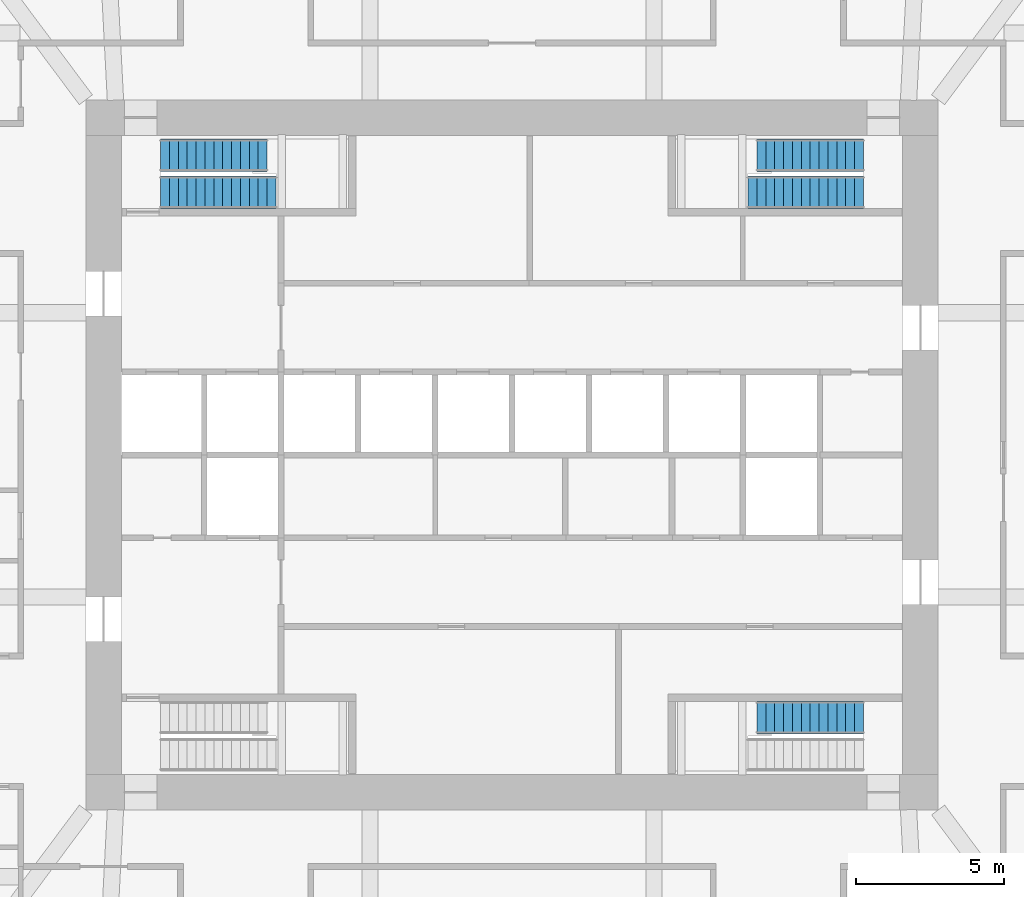
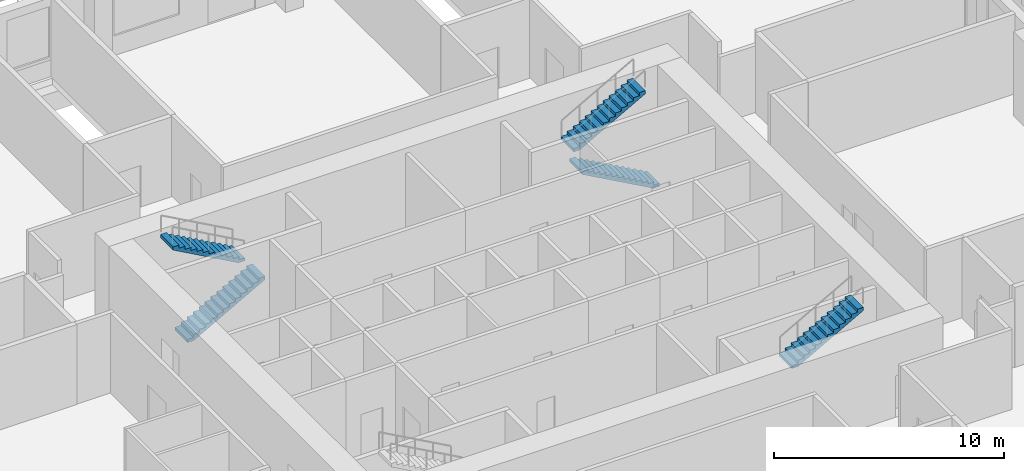
# One storey, part 9 of 13: 5 stair flights, 3 elements without a shape of their own.
"""IFC4 building model written with IfcOpenShell, lengths in metres."""

import ifcopenshell
import ifcopenshell.guid

model = None  # the IFC model being written
_history = None  # IfcOwnerHistory: only IFC2X3 demands one
_inside = {}  # id of a spatial element -> (the spatial element, [elements in it])
_under = {}  # id of a project, library or spatial element -> (it, [spatial elements below it])
_declared = {}  # id of a project -> (the project, [libraries it declares])
_typed = {}  # id of a type object -> (the type object, [elements of that type])
_made_of = {}  # id of a material, layer set ... -> (it, [elements and type objects made of it])


def new_model(schema):
    """Start an empty IFC model of exactly this schema.

    Asked for "IFC4X3", IfcOpenShell would pick the latest addendum, in which some entities
    have other attributes; the version numbers below select the first issue.
    IFC2X3 requires an IfcOwnerHistory on every rooted entity: one is made here for all.
    """
    global model, _history
    if schema == "IFC4X3":
        model = ifcopenshell.file(schema_version=(4, 3, 0, 0))
    else:
        model = ifcopenshell.file(schema=schema)
    _inside.clear()
    _under.clear()
    _declared.clear()
    _typed.clear()
    _made_of.clear()
    _history = None
    if model.schema == "IFC2X3":
        org = make("IfcOrganization", Name="unknown")
        user = make(
            "IfcPersonAndOrganization",
            ThePerson=make("IfcPerson", FamilyName="unknown"),
            TheOrganization=org,
        )
        app = make(
            "IfcApplication",
            ApplicationDeveloper=org,
            Version="unknown",
            ApplicationFullName="unknown",
            ApplicationIdentifier="unknown",
        )
        _history = make(
            "IfcOwnerHistory",
            OwningUser=user,
            OwningApplication=app,
            ChangeAction="ADDED",
            CreationDate=0,
        )
    return model


def make(cls, **values):
    """One entity of the class cls with the attributes given. An attribute that is None is left unset."""
    return model.create_entity(
        cls, **{name: value for name, value in values.items() if value is not None}
    )


def rooted(cls, **values):
    """An entity with a GlobalId (a new one), such as an element, a storey or a relation."""
    return make(cls, GlobalId=ifcopenshell.guid.new(), OwnerHistory=_history, **values)


def si_unit(unit_type, name, prefix=None):
    """IfcSIUnit, for example si_unit("LENGTHUNIT", "METRE", prefix="MILLI")."""
    return make("IfcSIUnit", UnitType=unit_type, Prefix=prefix, Name=name)


def assignment(units):
    """IfcUnitAssignment: the units of a project."""
    return None if units is None else make("IfcUnitAssignment", Units=units)


def point(xyz):
    """IfcCartesianPoint."""
    return None if xyz is None else make("IfcCartesianPoint", Coordinates=xyz)


def direction(xyz):
    """IfcDirection."""
    return None if xyz is None else make("IfcDirection", DirectionRatios=xyz)


def frame(location, z_axis=None, x_axis=None):
    """IfcAxis2Placement3D, a coordinate frame: its origin and axes. An axis left out is left unset."""
    return make(
        "IfcAxis2Placement3D",
        Location=point(location),
        Axis=direction(z_axis),
        RefDirection=direction(x_axis),
    )


def origin():
    """The frame at (0, 0, 0) with its axes left unset."""
    return frame((0.0, 0.0, 0.0))


def place(relative_to, where):
    """IfcLocalPlacement: puts the frame where relative to a parent placement (None: the world)."""
    return make(
        "IfcLocalPlacement", PlacementRelTo=relative_to, RelativePlacement=where
    )


def context(
    kind, dimensions, precision=None, world=None, true_north=None, identifier=None
):
    """IfcGeometricRepresentationContext, for example the 3D "Model" context."""
    return make(
        "IfcGeometricRepresentationContext",
        ContextIdentifier=identifier,
        ContextType=kind,
        CoordinateSpaceDimension=dimensions,
        Precision=precision,
        WorldCoordinateSystem=world,
        TrueNorth=true_north,
    )


def subcontext(parent, identifier, kind, view, scale=None):
    """IfcGeometricRepresentationSubContext, for example "Body" below "Model"."""
    return make(
        "IfcGeometricRepresentationSubContext",
        ContextIdentifier=identifier,
        ContextType=kind,
        ParentContext=parent,
        TargetScale=scale,
        TargetView=view,
    )


def project(units=None, contexts=None):
    """IfcProject with its units and contexts."""
    return rooted(
        "IfcProject",
        Name="project",
        RepresentationContexts=contexts,
        UnitsInContext=assignment(units),
    )


def spatial(cls, under=None, at=None, **own):
    """A site, building, storey or space (cls), placed at a placement, below another one or the project."""
    s = rooted(cls, ObjectPlacement=at, **own)
    if under is not None:
        _under.setdefault(under.id(), (under, []))[1].append(s)
    return s


def polyline(points):
    """IfcPolyline through the points."""
    return make("IfcPolyline", Points=[point(p) for p in points])


def outline(outer, holes=None, kind="AREA"):
    """IfcArbitraryClosedProfileDef: a profile drawn as a closed curve; with holes, ...WithVoids."""
    if holes is None:
        return make("IfcArbitraryClosedProfileDef", ProfileType=kind, OuterCurve=outer)
    return make(
        "IfcArbitraryProfileDefWithVoids",
        ProfileType=kind,
        OuterCurve=outer,
        InnerCurves=holes,
    )


def extrude(swept, where, along, depth):
    """IfcExtrudedAreaSolid: the profile swept, set in the frame where, extruded along a direction by depth."""
    return make(
        "IfcExtrudedAreaSolid",
        SweptArea=swept,
        Position=where,
        ExtrudedDirection=direction(along),
        Depth=depth,
    )


def shape(context_of_items, identifier, shape_type, items):
    """IfcShapeRepresentation: the items that make up one representation, for example the "Body"."""
    return make(
        "IfcShapeRepresentation",
        ContextOfItems=context_of_items,
        RepresentationIdentifier=identifier,
        RepresentationType=shape_type,
        Items=items,
    )


def material(Name=None, Category=None):
    """IfcMaterial."""
    return make("IfcMaterial", Name=Name, Category=Category)


def made_of(thing, what):
    """Note that an element or type object is made of a material, layer set ...; save() writes the relation."""
    if what is not None:
        _made_of.setdefault(what.id(), (what, []))[1].append(thing)
    return thing


def type_object(cls, material=None, **own):
    """A type object (cls), such as IfcWallType, which elements share."""
    return made_of(rooted(cls, **own), material)


def element(
    cls,
    number,
    at=None,
    inside=None,
    cuts=None,
    type_object=None,
    material=None,
    context=None,
    identifier="Body",
    shape_type=None,
    held_by="IfcProductDefinitionShape",
    body=None,
    shapes=None,
    **own,
):
    """One element of the class cls, such as IfcWall. Its Tag is "e" and its number.

    at: its placement. inside: the storey or other place that contains it. cuts: it is an
    opening in that element (IfcRelVoidsElement). A single representation is given by context,
    identifier, shape_type and body (its items); several are given by shapes. held_by: the class
    of the entity that holds the representations. save() writes the other relations.
    """
    e = rooted(cls, Tag="e%d" % number, ObjectPlacement=at, **own)
    if body is not None:
        shapes = [shape(context, identifier, shape_type, body)]
    if shapes is not None:
        e.Representation = make(held_by, Representations=shapes)
    if inside is not None:
        _inside.setdefault(inside.id(), (inside, []))[1].append(e)
    if cuts is not None:
        rooted(
            "IfcRelVoidsElement", RelatingBuildingElement=cuts, RelatedOpeningElement=e
        )
    if type_object is not None:
        _typed.setdefault(type_object.id(), (type_object, []))[1].append(e)
    return made_of(e, material)


def aggregate(whole, parts):
    """IfcRelAggregates: a whole, such as a stair, and the parts it consists of."""
    return rooted("IfcRelAggregates", RelatingObject=whole, RelatedObjects=parts)


def save(model, path):
    """Write the relations noted so far, then the file.

    IfcRelAggregates (storeys below a building ...), IfcRelContainedInSpatialStructure (elements
    in a storey), IfcRelDefinesByType, IfcRelAssociatesMaterial and IfcRelDeclares: one each for
    every whole, place, type object, material and project.
    """
    for whole, parts in _under.values():
        aggregate(whole, parts)
    for where, things in _inside.values():
        rooted(
            "IfcRelContainedInSpatialStructure",
            RelatedElements=things,
            RelatingStructure=where,
        )
    for kind, things in _typed.values():
        rooted("IfcRelDefinesByType", RelatedObjects=things, RelatingType=kind)
    for what, things in _made_of.values():
        rooted("IfcRelAssociatesMaterial", RelatedObjects=things, RelatingMaterial=what)
    for by, libraries in _declared.values():
        rooted("IfcRelDeclares", RelatingContext=by, RelatedDefinitions=libraries)
    model.write(path)


model = new_model("IFC4")

# Units and contexts
model_context = context("Model", 3, precision=1e-05, world=origin(), true_north=direction((0.0, 1.0)))
body_context = subcontext(model_context, "Body", "Model", "MODEL_VIEW")
ifc_project = project(units=[si_unit("LENGTHUNIT", "METRE"), si_unit("AREAUNIT", "SQUARE_METRE"), si_unit("VOLUMEUNIT", "CUBIC_METRE"), si_unit("PLANEANGLEUNIT", "RADIAN"), si_unit("MASSUNIT", "GRAM", prefix="KILO")], contexts=[model_context])

# Site, building, storey
site_placement = place(None, origin())
site = spatial("IfcSite", under=ifc_project, at=site_placement, CompositionType="ELEMENT")
building_placement = place(site_placement, origin())
building = spatial("IfcBuilding", under=site, at=building_placement, Name="Msitu Wima Residences", CompositionType="ELEMENT")
storey_placement = place(building_placement, frame((0.0, 0.0, 21.0)))
storey = spatial("IfcBuildingStorey", under=building, at=storey_placement, Name="L04", CompositionType="ELEMENT", Elevation=21.0)

# Stair, stair flights
ifc_material = material(Name="Concrete C40/50", Category="concrete")
stair_type = type_object("IfcStairType", Name="Exit stair ES1667-110", PredefinedType="HALF_TURN_STAIR", material=ifc_material)
stair_1_placement = place(storey_placement, origin())
stair_1 = element("IfcStair", 1, at=stair_1_placement, inside=storey, type_object=stair_type, Name="Exit stair 1", PredefinedType="HALF_TURN_STAIR")
stair_flight_type = type_object("IfcStairFlightType", Name="Exit stair flight ES1667-110", PredefinedType="STRAIGHT", material=ifc_material)
stair_flight_1_placement = place(storey_placement, frame((-11.875, 8.875, 0.0), z_axis=(0.0, 0.0, 1.0), x_axis=(1.0, 0.0, 0.0)))
stair_flight_1 = element("IfcStairFlight", 2, at=stair_flight_1_placement, type_object=stair_flight_type, Name="S1 flight 1", NumberOfRisers=14, NumberOfTreads=13, PredefinedType="STRAIGHT", RiserHeight=0.166666667, TreadLength=0.3, context=body_context, shape_type="SweptSolid", body=[
    extrude(outline(polyline([(0.0, 0.0), (0.0, 0.166748046875), (0.300048828125, 0.166748046875), (0.300048828125, 0.333251953125), (0.60009765625, 0.333251953125), (0.60009765625, 0.5), (0.89990234375, 0.5), (0.89990234375, 0.666748046875), (1.199951171875, 0.666748046875), (1.199951171875, 0.833251953125), (1.5, 0.833251953125), (1.5, 1.0), (1.800048828125, 1.0), (1.800048828125, 1.166748046875), (2.10009765625, 1.166748046875), (2.10009765625, 1.333251953125), (2.39990234375, 1.333251953125), (2.39990234375, 1.5), (2.699951171875, 1.5), (2.699951171875, 1.666748046875), (3.0, 1.666748046875), (3.0, 1.833251953125), (3.300048828125, 1.833251953125), (3.300048828125, 2.0), (3.60009765625, 2.0), (3.60009765625, 2.166748046875), (3.89990234375, 2.166748046875), (3.89990234375, 2.333251953125), (3.89990234375, 1.9951171875), (0.30859375, 0.0), (0.0, 0.0)])), frame((0.0, 0.550048828125, 0.0), z_axis=(0.0, -1.0, 0.0), x_axis=(1.0, 0.0, 0.0)), (0.0, 0.0, 1.0), 1.10009765625),
])
stair_flight_2_placement = place(storey_placement, frame((-8.27490234375, 10.125, 2.333251953125), z_axis=(0.0, 0.0, 1.0), x_axis=(-1.0, 0.0, 0.0)))
stair_flight_2 = element("IfcStairFlight", 3, at=stair_flight_2_placement, type_object=stair_flight_type, Name="S1 flight 2", NumberOfRisers=13, NumberOfTreads=12, PredefinedType="STRAIGHT", RiserHeight=0.166666667, TreadLength=0.3, context=body_context, shape_type="SweptSolid", body=[
    extrude(outline(polyline([(0.0, 0.0), (0.0, 0.166748046875), (0.300048828125, 0.166748046875), (0.300048828125, 0.333251953125), (0.60009765625, 0.333251953125), (0.60009765625, 0.5), (0.89990234375, 0.5), (0.89990234375, 0.666748046875), (1.199951171875, 0.666748046875), (1.199951171875, 0.833251953125), (1.5, 0.833251953125), (1.5, 1.0), (1.800048828125, 1.0), (1.800048828125, 1.166748046875), (2.10009765625, 1.166748046875), (2.10009765625, 1.333251953125), (2.39990234375, 1.333251953125), (2.39990234375, 1.5), (2.699951171875, 1.5), (2.699951171875, 1.666748046875), (3.0, 1.666748046875), (3.0, 1.833251953125), (3.300048828125, 1.833251953125), (3.300048828125, 2.0), (3.60009765625, 2.0), (3.60009765625, 2.166748046875), (3.60009765625, 1.82861328125), (0.30859375, 0.0), (0.0, 0.0)])), frame((0.0, 0.550048828125, 0.0), z_axis=(0.0, -1.0, 0.0), x_axis=(1.0, 0.0, 0.0)), (0.0, 0.0, 1.0), 1.10009765625),
])
aggregate(stair_1, [stair_flight_1, stair_flight_2])

stair_2_placement = place(storey_placement, origin())
stair_2 = element("IfcStair", 4, at=stair_2_placement, inside=storey, type_object=stair_type, Name="Exit stair 3", PredefinedType="HALF_TURN_STAIR")
stair_flight_3_placement = place(storey_placement, frame((11.875, 8.875, 0.0), z_axis=(0.0, 0.0, 1.0), x_axis=(-1.0, 0.0, 0.0)))
stair_flight_3 = element("IfcStairFlight", 5, at=stair_flight_3_placement, type_object=stair_flight_type, Name="S3 flight 1", NumberOfRisers=14, NumberOfTreads=13, PredefinedType="STRAIGHT", RiserHeight=0.166666667, TreadLength=0.3, context=body_context, shape_type="SweptSolid", body=[
    extrude(outline(polyline([(0.0, 0.0), (0.0, 0.166748046875), (0.300048828125, 0.166748046875), (0.300048828125, 0.333251953125), (0.60009765625, 0.333251953125), (0.60009765625, 0.5), (0.89990234375, 0.5), (0.89990234375, 0.666748046875), (1.199951171875, 0.666748046875), (1.199951171875, 0.833251953125), (1.5, 0.833251953125), (1.5, 1.0), (1.800048828125, 1.0), (1.800048828125, 1.166748046875), (2.10009765625, 1.166748046875), (2.10009765625, 1.333251953125), (2.39990234375, 1.333251953125), (2.39990234375, 1.5), (2.699951171875, 1.5), (2.699951171875, 1.666748046875), (3.0, 1.666748046875), (3.0, 1.833251953125), (3.300048828125, 1.833251953125), (3.300048828125, 2.0), (3.60009765625, 2.0), (3.60009765625, 2.166748046875), (3.89990234375, 2.166748046875), (3.89990234375, 2.333251953125), (3.89990234375, 1.9951171875), (0.30859375, 0.0), (0.0, 0.0)])), frame((0.0, 0.550048828125, 0.0), z_axis=(0.0, -1.0, 0.0), x_axis=(1.0, 0.0, 0.0)), (0.0, 0.0, 1.0), 1.10009765625),
])
stair_flight_4_placement = place(storey_placement, frame((8.27490234375, 10.125, 2.333251953125), z_axis=(0.0, 0.0, 1.0), x_axis=(1.0, 0.0, 0.0)))
stair_flight_4 = element("IfcStairFlight", 6, at=stair_flight_4_placement, type_object=stair_flight_type, Name="S3 flight 2", NumberOfRisers=13, NumberOfTreads=12, PredefinedType="STRAIGHT", RiserHeight=0.166666667, TreadLength=0.3, context=body_context, shape_type="SweptSolid", body=[
    extrude(outline(polyline([(0.0, 0.0), (0.0, 0.166748046875), (0.300048828125, 0.166748046875), (0.300048828125, 0.333251953125), (0.60009765625, 0.333251953125), (0.60009765625, 0.5), (0.89990234375, 0.5), (0.89990234375, 0.666748046875), (1.199951171875, 0.666748046875), (1.199951171875, 0.833251953125), (1.5, 0.833251953125), (1.5, 1.0), (1.800048828125, 1.0), (1.800048828125, 1.166748046875), (2.10009765625, 1.166748046875), (2.10009765625, 1.333251953125), (2.39990234375, 1.333251953125), (2.39990234375, 1.5), (2.699951171875, 1.5), (2.699951171875, 1.666748046875), (3.0, 1.666748046875), (3.0, 1.833251953125), (3.300048828125, 1.833251953125), (3.300048828125, 2.0), (3.60009765625, 2.0), (3.60009765625, 2.166748046875), (3.60009765625, 1.82861328125), (0.30859375, 0.0), (0.0, 0.0)])), frame((0.0, 0.550048828125, 0.0), z_axis=(0.0, -1.0, 0.0), x_axis=(1.0, 0.0, 0.0)), (0.0, 0.0, 1.0), 1.10009765625),
])
aggregate(stair_2, [stair_flight_3, stair_flight_4])

# Stair, stair flight
stair_3_placement = place(storey_placement, origin())
stair_3 = element("IfcStair", 7, at=stair_3_placement, inside=storey, type_object=stair_type, Name="Exit stair 4", PredefinedType="HALF_TURN_STAIR")
stair_flight_5_placement = place(storey_placement, frame((8.27490234375, -8.875, 2.333251953125), z_axis=(0.0, 0.0, 1.0), x_axis=(1.0, 0.0, 0.0)))
stair_flight_5 = element("IfcStairFlight", 8, at=stair_flight_5_placement, type_object=stair_flight_type, Name="S4 flight 2", NumberOfRisers=13, NumberOfTreads=12, PredefinedType="STRAIGHT", RiserHeight=0.166666667, TreadLength=0.3, context=body_context, shape_type="SweptSolid", body=[
    extrude(outline(polyline([(0.0, 0.0), (0.0, 0.166748046875), (0.300048828125, 0.166748046875), (0.300048828125, 0.333251953125), (0.60009765625, 0.333251953125), (0.60009765625, 0.5), (0.89990234375, 0.5), (0.89990234375, 0.666748046875), (1.199951171875, 0.666748046875), (1.199951171875, 0.833251953125), (1.5, 0.833251953125), (1.5, 1.0), (1.800048828125, 1.0), (1.800048828125, 1.166748046875), (2.10009765625, 1.166748046875), (2.10009765625, 1.333251953125), (2.39990234375, 1.333251953125), (2.39990234375, 1.5), (2.699951171875, 1.5), (2.699951171875, 1.666748046875), (3.0, 1.666748046875), (3.0, 1.833251953125), (3.300048828125, 1.833251953125), (3.300048828125, 2.0), (3.60009765625, 2.0), (3.60009765625, 2.166748046875), (3.60009765625, 1.82861328125), (0.30859375, 0.0), (0.0, 0.0)])), frame((0.0, 0.550048828125, 0.0), z_axis=(0.0, -1.0, 0.0), x_axis=(1.0, 0.0, 0.0)), (0.0, 0.0, 1.0), 1.10009765625),
])
aggregate(stair_3, [stair_flight_5])

save(model, "model.ifc")
